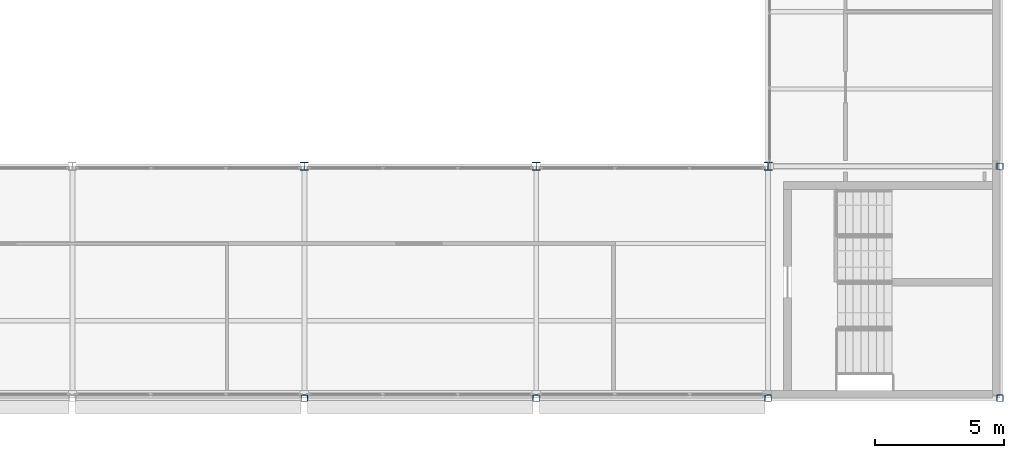
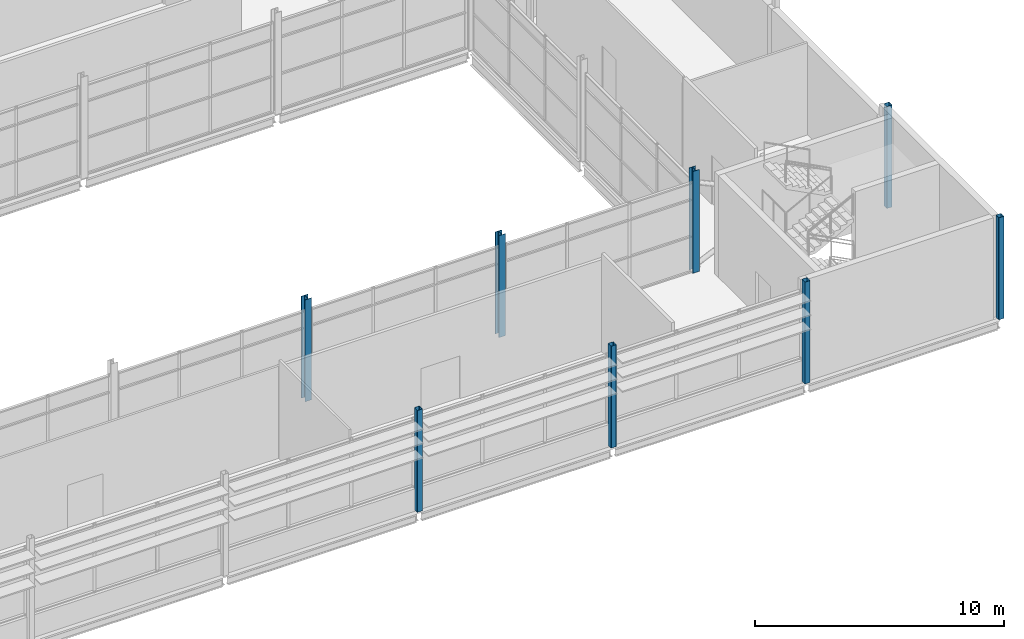
# One storey, part 3 of 61: 8 columns.
"""IFC4 building model written with IfcOpenShell, lengths in metres."""

from ifc_helpers import new_model, si_unit, direction, frame, origin, origin_2d, place, context, subcontext, project, spatial, hollow_rectangle, i_section, extrude, material, material_profile, profile_set, type_object, element, save


model = new_model("IFC4")

# Units and contexts
model_context = context("Model", 3, precision=1e-05, world=origin(), true_north=direction((0.0, 1.0)))
body_context = subcontext(model_context, "Body", "Model", "MODEL_VIEW")
ifc_project = project(units=[si_unit("LENGTHUNIT", "METRE"), si_unit("AREAUNIT", "SQUARE_METRE"), si_unit("VOLUMEUNIT", "CUBIC_METRE"), si_unit("PLANEANGLEUNIT", "RADIAN"), si_unit("MASSUNIT", "GRAM", prefix="KILO")], contexts=[model_context])

# Site, building, storey
site_placement = place(None, origin())
site = spatial("IfcSite", under=ifc_project, at=site_placement, CompositionType="ELEMENT")
building_placement = place(site_placement, origin())
building = spatial("IfcBuilding", under=site, at=building_placement, Name="Shorebreak Coast Museum", CompositionType="ELEMENT")
storey_placement = place(building_placement, frame((0.0, 0.0, 26.0)))
storey = spatial("IfcBuildingStorey", under=building, at=storey_placement, Name="L04", CompositionType="ELEMENT", Elevation=26.0)

# Columns
ifc_material_1 = material(Name="Steel Grade C450L0", Category="steel")
ifc_material_profile_1 = material_profile(ifc_material_1, hollow_rectangle(XDim=0.25, YDim=0.25, WallThickness=0.009033203125, InnerFilletRadius=0.013427734375, OuterFilletRadius=0.0224609375, at=origin_2d()), Name="250x250x9.0 SHS")
ifc_profile_set_1 = profile_set([ifc_material_profile_1], Name="Steel Grade C450L0")
column_type_1 = type_object("IfcColumnType", Name="Column 250x250x9.0 SHS", PredefinedType="COLUMN", material=ifc_profile_set_1)
for number, where, z_axis, x_axis, name in (
    (1, (90.0, 54.0, 0.0), (0.0, 0.0, 1.0), (1.0, 0.0, 0.0), "Column L04 11G"),
    (2, (99.0, 54.0, 0.0), (0.0, 0.0, 1.0), (1.0, 0.0, 0.0), "Column L04 12G"),
    (3, (108.0, 54.0, 0.0), (0.0, 0.0, 1.0), (1.0, 0.0, 0.0), "Column L04 13G"),
    (4, (117.0, 54.0, 0.0), (0.0, 0.0, 1.0), (1.0, 0.0, 0.0), "Column L04 14G"),
    (5, (117.0, 63.0, 0.0), (0.0, 0.0, 1.0), (1.0, 0.0, 0.0), "Column L04 14H"),
):
    element("IfcColumn", number, at=place(storey_placement, frame(where, z_axis=z_axis, x_axis=x_axis)), inside=storey, type_object=column_type_1, Name=name, PredefinedType="COLUMN", context=body_context, shape_type="SweptSolid", body=[
        extrude(hollow_rectangle(XDim=0.25, YDim=0.25, WallThickness=0.009033203125, InnerFilletRadius=0.013427734375, OuterFilletRadius=0.0224609375, at=origin_2d()), origin(), (0.0, 0.0, 1.0), 5.0),
    ])
ifc_material_2 = material(Name="Steel Grade 300", Category="steel")
ifc_material_profile_2 = material_profile(ifc_material_2, i_section(OverallWidth=0.306884765625, OverallDepth=0.314697265625, WebThickness=0.011962890625, FlangeThickness=0.018798828125, FilletRadius=0.0166015625, at=origin_2d()), Name="310UC118")
ifc_profile_set_2 = profile_set([ifc_material_profile_2], Name="Steel Grade 300")
column_type_2 = type_object("IfcColumnType", Name="Column 310UC118", PredefinedType="COLUMN", material=ifc_profile_set_2)
for number, where, z_axis, x_axis, name in (
    (6, (90.0, 63.0, 0.0), (0.0, 0.0, 1.0), (1.0, 0.0, 0.0), "Column L04 11H"),
    (7, (99.0, 63.0, 0.0), (0.0, 0.0, 1.0), (1.0, 0.0, 0.0), "Column L04 12H"),
    (8, (108.0, 63.0, 0.0), (0.0, 0.0, 1.0), (1.0, 0.0, 0.0), "Column L04 13H"),
):
    element("IfcColumn", number, at=place(storey_placement, frame(where, z_axis=z_axis, x_axis=x_axis)), inside=storey, type_object=column_type_2, Name=name, PredefinedType="COLUMN", context=body_context, shape_type="SweptSolid", body=[
        extrude(i_section(OverallWidth=0.306884765625, OverallDepth=0.314697265625, WebThickness=0.011962890625, FlangeThickness=0.018798828125, FilletRadius=0.0166015625, at=origin_2d()), origin(), (0.0, 0.0, 1.0), 5.0),
    ])

save(model, "model.ifc")
